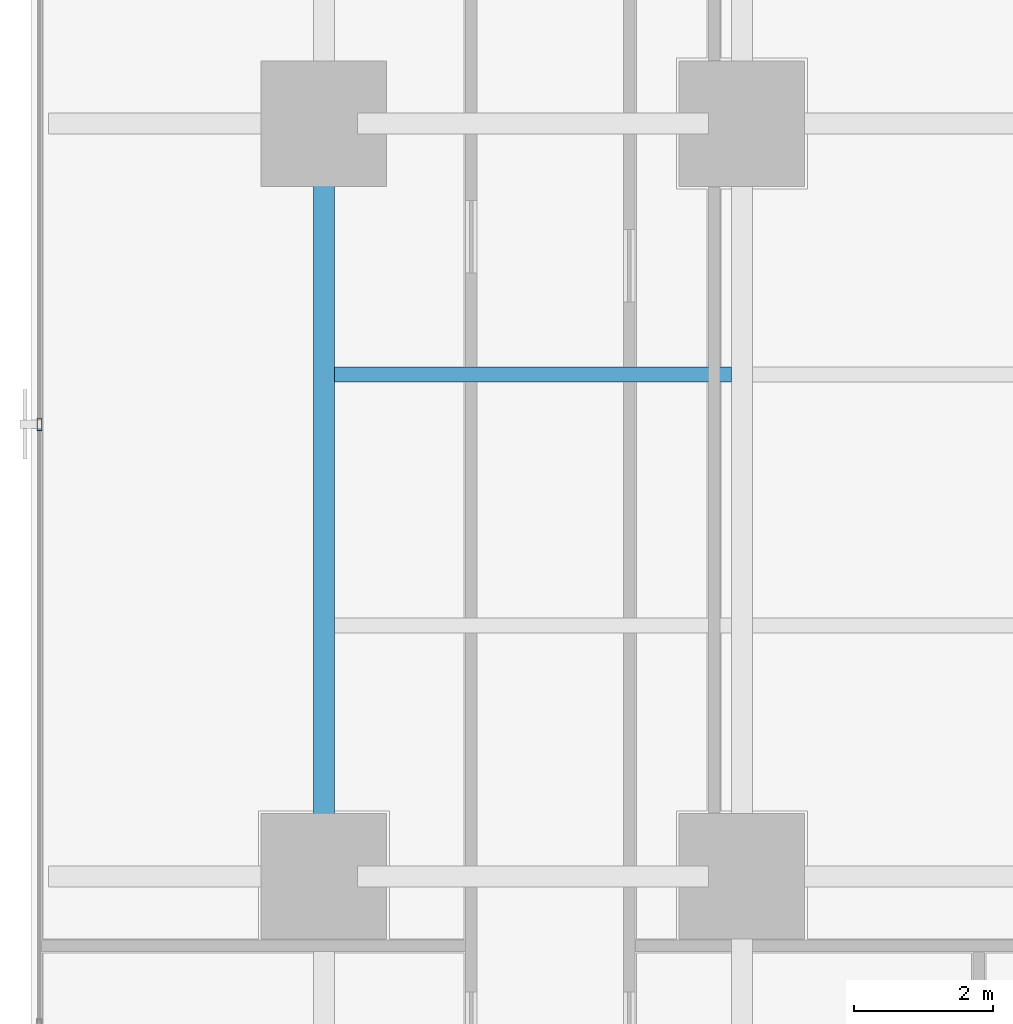
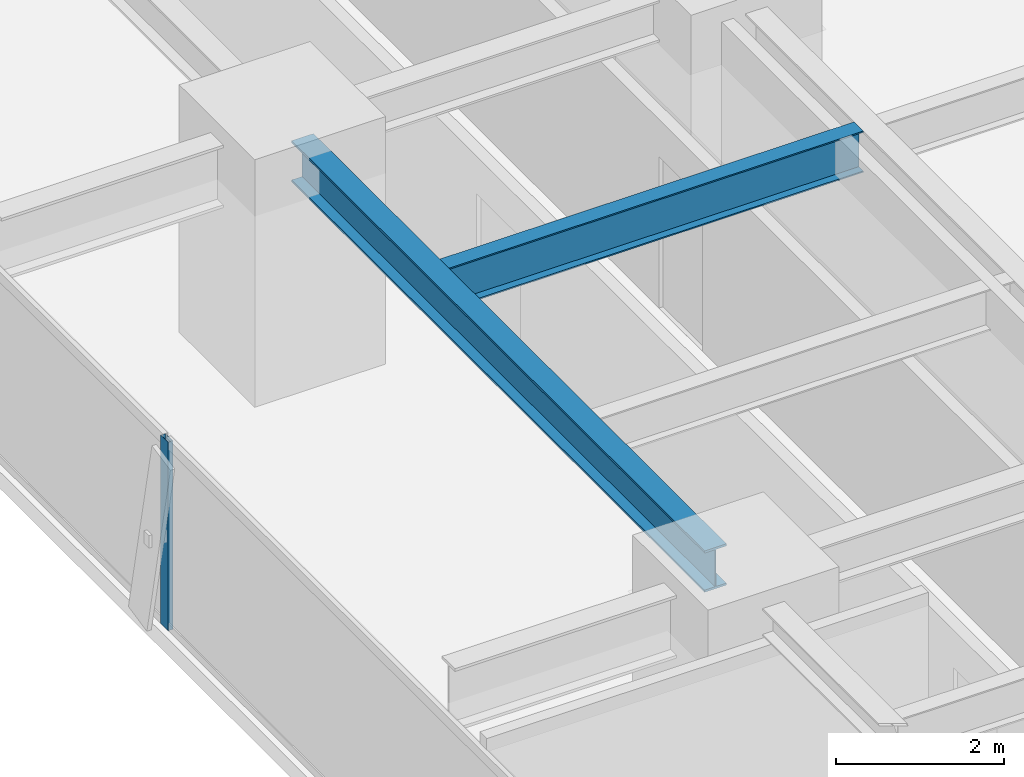
# One storey, part 7 of 33: 2 beams, 1 member, 1 element without a shape of its own.
"""IFC4 building model written with IfcOpenShell, lengths in metres."""

from ifc_helpers import new_model, si_unit, direction, frame, origin, origin_2d, place, context, subcontext, project, spatial, hollow_rectangle, i_section, extrude, source, transform, mapped, material, layer, layer_set, material_profile, profile_set, type_object, element, aggregate, save


model = new_model("IFC4")

# Units and contexts
model_context = context("Model", 3, precision=1e-05, world=origin(), true_north=direction((0.0, 1.0)))
body_context = subcontext(model_context, "Body", "Model", "MODEL_VIEW")
ifc_project = project(units=[si_unit("LENGTHUNIT", "METRE"), si_unit("AREAUNIT", "SQUARE_METRE"), si_unit("VOLUMEUNIT", "CUBIC_METRE"), si_unit("PLANEANGLEUNIT", "RADIAN"), si_unit("MASSUNIT", "GRAM", prefix="KILO")], contexts=[model_context])

# Site, building, storey
site_placement = place(None, origin())
site = spatial("IfcSite", under=ifc_project, at=site_placement, CompositionType="ELEMENT")
building_placement = place(site_placement, origin())
building = spatial("IfcBuilding", under=site, at=building_placement, Name="Sumidabori Civic Tower", CompositionType="ELEMENT")
storey_placement = place(building_placement, frame((0.0, 0.0, 59.60009765625)))
storey = spatial("IfcBuildingStorey", under=building, at=storey_placement, Name="L15", CompositionType="ELEMENT", Elevation=59.60009765625)

# Beams
ifc_material_1 = material(Name="Steel SN490", Category="steel")
ifc_material_profile_1 = material_profile(ifc_material_1, i_section(OverallWidth=0.300048828125, OverallDepth=0.60009765625, WebThickness=0.015380859375, FlangeThickness=0.030029296875, at=origin_2d()), Name="HE 600 B")
ifc_profile_set_1 = profile_set([ifc_material_profile_1], Name="Steel SN490")
beam_type_1 = type_object("IfcBeamType", Name="BM-GIRD-600", PredefinedType="BEAM", material=ifc_profile_set_1)
shared_shape_1 = source(origin(), body_context, "Body", "SweptSolid", [
    extrude(i_section(OverallWidth=0.300048828125, OverallDepth=0.60009765625, WebThickness=0.015380859375, FlangeThickness=0.030029296875, at=origin_2d()), origin(), (0.0, 0.0, 1.0), 9.840087890625),
])
beam_1_placement = place(storey_placement, frame((-22.800048828125, -10.320068359375, 3.059814453125), z_axis=(0.0, 1.0, 0.0), x_axis=(-1.0, 0.0, 0.0)))
element("IfcBeam", 1, at=beam_1_placement, inside=storey, type_object=beam_type_1, Name="Primary Girder L15 GY-22", PredefinedType="BEAM", context=body_context, shape_type="MappedRepresentation", body=[
    mapped(shared_shape_1, transform((0.0, 0.0, 0.0), x_axis=(1.0, 0.0, 0.0), y_axis=(0.0, 1.0, 0.0), z_axis=(0.0, 0.0, 1.0), scale=1.0)),
])
ifc_material_profile_2 = material_profile(ifc_material_1, i_section(OverallWidth=0.219970703125, OverallDepth=0.60009765625, WebThickness=0.011962890625, FlangeThickness=0.01904296875, at=origin_2d()), Name="IPE 600")
ifc_profile_set_2 = profile_set([ifc_material_profile_2], Name="Steel SN490")
beam_type_2 = type_object("IfcBeamType", Name="BM-JST-600", PredefinedType="JOIST", material=ifc_profile_set_2)
shared_shape_2 = source(origin(), body_context, "Body", "SweptSolid", [
    extrude(i_section(OverallWidth=0.219970703125, OverallDepth=0.60009765625, WebThickness=0.011962890625, FlangeThickness=0.01904296875, at=origin_2d()), origin(), (0.0, 0.0, 1.0), 5.699951171875),
])
beam_2_placement = place(storey_placement, frame((-22.64990234375, -3.60009765625, 3.059814453125), z_axis=(1.0, 0.0, 0.0), x_axis=(0.0, 1.0, 0.0)))
element("IfcBeam", 2, at=beam_2_placement, inside=storey, type_object=beam_type_2, Name="Outer Bay Floor Joist L15 JSTO-51", PredefinedType="JOIST", context=body_context, shape_type="MappedRepresentation", body=[
    mapped(shared_shape_2, transform((0.0, 0.0, 0.0), x_axis=(1.0, 0.0, 0.0), y_axis=(0.0, 1.0, 0.0), z_axis=(0.0, 0.0, 1.0), scale=1.0)),
])

# Curtain wall, member
ifc_material_2 = material(Name="Anodised Bronze Aluminium AW-6063-T6", Category="aluminium")
ifc_layer = layer(ifc_material_2, 0.179931640625, Name="Anodised Bronze Aluminium AW-6063-T6")
ifc_layer_set = layer_set([ifc_layer], Name="Anodised Bronze Aluminium AW-6063-T6")
curtain_wall_type = type_object("IfcCurtainWallType", Name="CW-SYS-2", PredefinedType="NOTDEFINED", material=ifc_layer_set)
curtain_wall_placement = place(storey_placement, origin())
curtain_wall = element("IfcCurtainWall", 3, at=curtain_wall_placement, inside=storey, type_object=curtain_wall_type, Name="Curtain Wall CW:L15:R10", PredefinedType="NOTDEFINED")
ifc_material_profile_3 = material_profile(ifc_material_2, hollow_rectangle(XDim=0.070068359375, YDim=0.179931640625, WallThickness=0.006103515625, at=origin_2d()), Name="ALU MULLION 180x70")
ifc_profile_set_3 = profile_set([ifc_material_profile_3], Name="Anodised Bronze Aluminium AW-6063-T6")
member_type = type_object("IfcMemberType", Name="CW-MUL-180", PredefinedType="MULLION", material=ifc_profile_set_3)
shared_shape_3 = source(origin(), body_context, "Body", "SweptSolid", [
    extrude(hollow_rectangle(XDim=0.070068359375, YDim=0.179931640625, WallThickness=0.006103515625, at=origin_2d()), origin(), (0.0, 0.0, 1.0), 2.739990234375),
])
member_placement = place(storey_placement, frame((-26.8798828125, -4.31396484375, 0.0), z_axis=(0.0, 0.0, 1.0), x_axis=(1.0, 0.0, 0.0)))
member = element("IfcMember", 4, at=member_placement, type_object=member_type, Name="CW-2 mullion 4", PredefinedType="MULLION", context=body_context, shape_type="MappedRepresentation", body=[
    mapped(shared_shape_3, transform((0.0, 0.0, 0.0), x_axis=(1.0, 0.0, 0.0), y_axis=(0.0, 1.0, 0.0), z_axis=(0.0, 0.0, 1.0), scale=1.0)),
])
aggregate(curtain_wall, [member])

save(model, "model.ifc")
